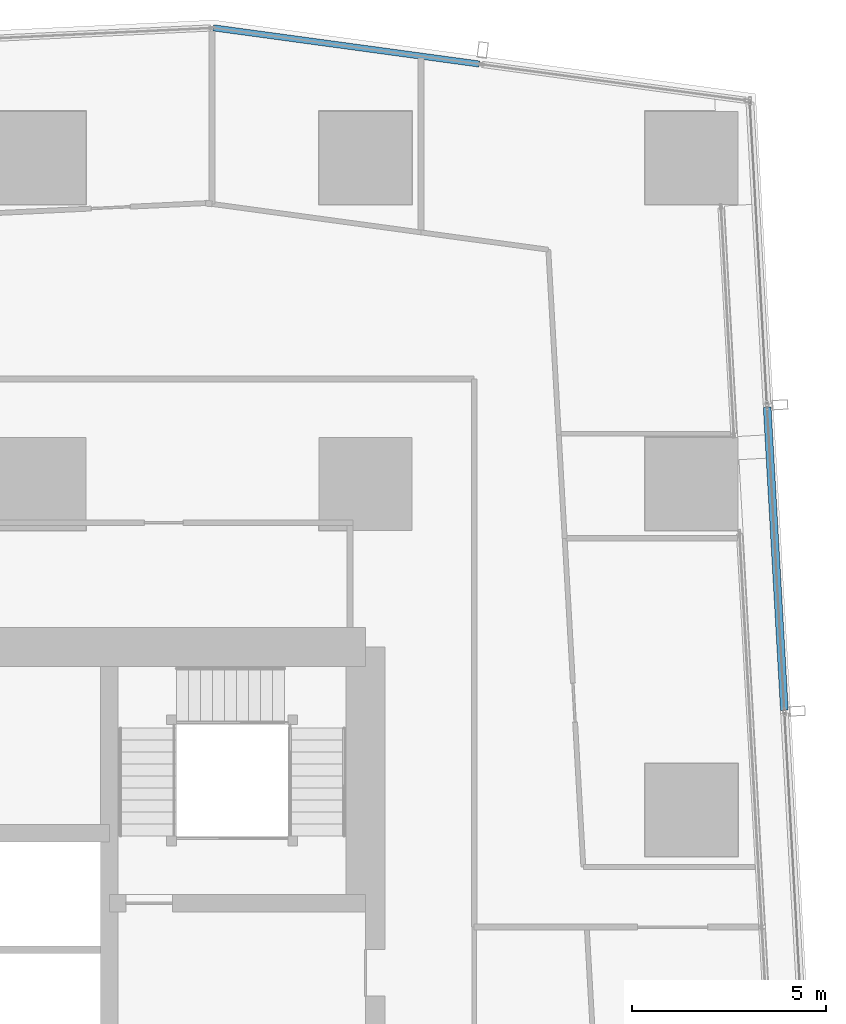
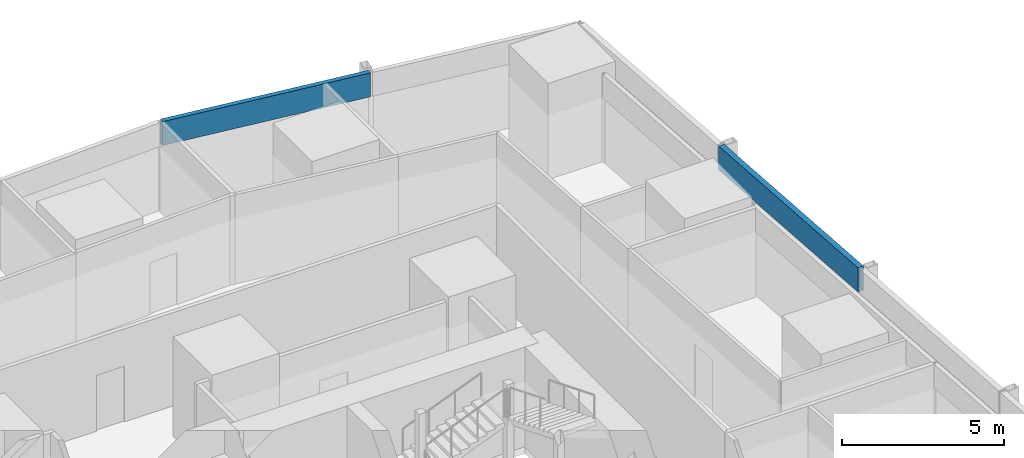
# One storey, part 20 of 37: 2 members, 2 elements without a shape of their own.
"""IFC4 building model written with IfcOpenShell, lengths in metres."""

from ifc_helpers import new_model, si_unit, direction, frame, origin, origin_2d, place, context, subcontext, project, spatial, hollow_rectangle, extrude, material, material_profile, profile_set, type_object, element, aggregate, save


model = new_model("IFC4")

# Units and contexts
model_context = context("Model", 3, precision=1e-05, world=origin(), true_north=direction((0.0, 1.0)))
body_context = subcontext(model_context, "Body", "Model", "MODEL_VIEW")
ifc_project = project(units=[si_unit("LENGTHUNIT", "METRE"), si_unit("AREAUNIT", "SQUARE_METRE"), si_unit("VOLUMEUNIT", "CUBIC_METRE"), si_unit("PLANEANGLEUNIT", "RADIAN"), si_unit("MASSUNIT", "GRAM", prefix="KILO")], contexts=[model_context])

# Site, building, storey
site_placement = place(None, origin())
site = spatial("IfcSite", under=ifc_project, at=site_placement, CompositionType="ELEMENT")
building_placement = place(site_placement, origin())
building = spatial("IfcBuilding", under=site, at=building_placement, Name="Rekha Terrace Tower", CompositionType="ELEMENT")
storey_placement = place(building_placement, frame((0.0, 0.0, 228.949951171875)))
storey = spatial("IfcBuildingStorey", under=building, at=storey_placement, Name="L58", CompositionType="ELEMENT", Elevation=228.949951171875)

# Curtain wall, member
ifc_material_1 = material(Name="Aluminium framing", Category="aluminium")
curtain_wall_type_1 = type_object("IfcCurtainWallType", Name="CW2 double skin outer glazing", PredefinedType="USERDEFINED", material=ifc_material_1)
curtain_wall_1_placement = place(storey_placement, origin())
curtain_wall_1 = element("IfcCurtainWall", 1, at=curtain_wall_1_placement, inside=storey, type_object=curtain_wall_type_1, Name="CW2 double skin outer glazing", ObjectType="DOUBLE SKIN OUTER GLAZING", PredefinedType="USERDEFINED")
ifc_material_2 = material(Name="Insulated aluminium spandrel box", Category="aluminium")
ifc_material_profile_1 = material_profile(ifc_material_2, hollow_rectangle(XDim=0.199951171875, YDim=0.89990234375, WallThickness=0.0029296875, at=origin_2d()), Name="AL SPANDREL BOX 200x900")
ifc_profile_set_1 = profile_set([ifc_material_profile_1], Name="Insulated aluminium spandrel box")
member_type_1 = type_object("IfcMemberType", Name="CW2 spandrel transom 200 x 900", PredefinedType="USERDEFINED", material=ifc_profile_set_1)
member_1_placement = place(storey_placement, frame((61.19140625, 44.567626953125, 3.050048828125), z_axis=(-0.056702299999, 0.998391130357, 0.0), x_axis=(-0.998391130357, -0.056702299999, 0.0)))
member_1 = element("IfcMember", 2, at=member_1_placement, type_object=member_type_1, Name="CW2 spandrel transom 3", ObjectType="TRANSOM", PredefinedType="USERDEFINED", context=body_context, shape_type="SweptSolid", body=[
    extrude(hollow_rectangle(XDim=0.199951171875, YDim=0.89990234375, WallThickness=0.0029296875, at=origin_2d()), origin(), (0.0, 0.0, 1.0), 7.823486328125),
])
aggregate(curtain_wall_1, [member_1])

curtain_wall_type_2 = type_object("IfcCurtainWallType", Name="CW3 north unitised glazing", PredefinedType="USERDEFINED", material=ifc_material_1)
curtain_wall_2_placement = place(storey_placement, origin())
curtain_wall_2 = element("IfcCurtainWall", 3, at=curtain_wall_2_placement, inside=storey, type_object=curtain_wall_type_2, Name="CW3 unitised curtain wall", ObjectType="UNITISED CURTAIN WALL", PredefinedType="USERDEFINED")
ifc_material_profile_2 = material_profile(ifc_material_2, hollow_rectangle(XDim=0.159912109375, YDim=0.89990234375, WallThickness=0.0029296875, at=origin_2d()), Name="AL SPANDREL BOX 160x900")
ifc_profile_set_2 = profile_set([ifc_material_profile_2], Name="Insulated aluminium spandrel box")
member_type_2 = type_object("IfcMemberType", Name="CW3 spandrel transom 160 x 900", PredefinedType="USERDEFINED", material=ifc_profile_set_2)
member_2_placement = place(storey_placement, frame((53.334716796875, 61.21630859375, 3.050048828125), z_axis=(-0.990863635349, 0.134867550367, 0.0), x_axis=(-0.134867550367, -0.990863635349, 0.0)))
member_2 = element("IfcMember", 4, at=member_2_placement, type_object=member_type_2, Name="CW3 spandrel transom 2", ObjectType="TRANSOM", PredefinedType="USERDEFINED", context=body_context, shape_type="SweptSolid", body=[
    extrude(hollow_rectangle(XDim=0.159912109375, YDim=0.89990234375, WallThickness=0.0029296875, at=origin_2d()), origin(), (0.0, 0.0, 1.0), 6.918701171875),
])
aggregate(curtain_wall_2, [member_2])

save(model, "model.ifc")
